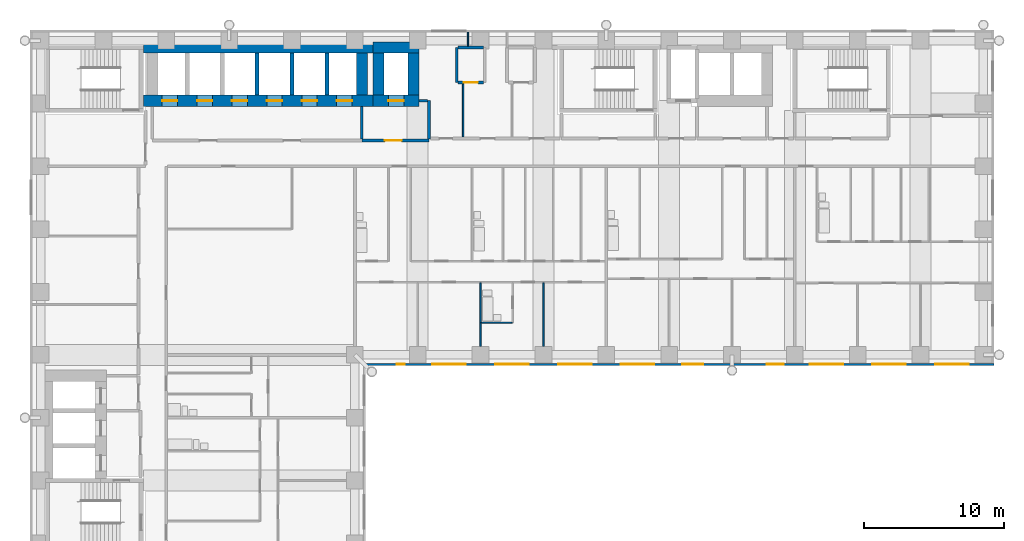
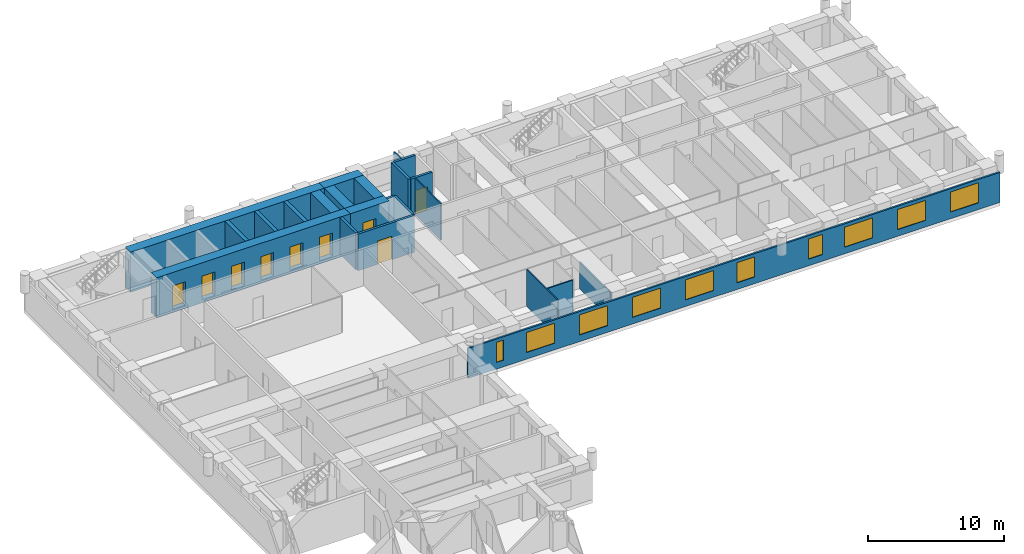
# One storey, part 8 of 14: 23 walls, 10 windows, 9 doors, 19 openings.
"""IFC4 building model written with IfcOpenShell, lengths in metres."""

from ifc_helpers import new_model, si_unit, direction, frame, frame_2d, origin, place, context, subcontext, project, spatial, rectangle, extrude, material, layer, layer_set, type_object, element, fill, save


model = new_model("IFC4")

# Units and contexts
model_context = context("Model", 3, precision=1e-05, world=origin(), true_north=direction((0.0, 1.0)))
body_context = subcontext(model_context, "Body", "Model", "MODEL_VIEW")
ifc_project = project(units=[si_unit("LENGTHUNIT", "METRE"), si_unit("AREAUNIT", "SQUARE_METRE"), si_unit("VOLUMEUNIT", "CUBIC_METRE"), si_unit("PLANEANGLEUNIT", "RADIAN"), si_unit("MASSUNIT", "GRAM", prefix="KILO")], contexts=[model_context])

# Site, building, storey
site_placement = place(None, origin())
site = spatial("IfcSite", under=ifc_project, at=site_placement, CompositionType="ELEMENT")
building_placement = place(site_placement, origin())
building = spatial("IfcBuilding", under=site, at=building_placement, Name="Firuza Court", CompositionType="ELEMENT")
storey_placement = place(building_placement, frame((0.0, 0.0, 47.0)))
storey = spatial("IfcBuildingStorey", under=building, at=storey_placement, Name="L10", CompositionType="ELEMENT", Elevation=47.0)

# Walls
ifc_material_1 = material(Name="Moisture-resistant gypsum board partition")
ifc_layer_1 = layer(ifc_material_1, 0.10009765625)
ifc_layer_set_1 = layer_set([ifc_layer_1], Name="Moisture-resistant gypsum board partition")
wall_type_1 = type_object("IfcWallType", Name="Bathroom partition 100", PredefinedType="PLUMBINGWALL", material=ifc_layer_set_1)
wall_1_placement = place(storey_placement, frame((31.550048828125, 38.300048828125, 0.0), z_axis=(0.0, 0.0, 1.0), x_axis=(1.0, 0.0, 0.0)))
element("IfcWall", 1, at=wall_1_placement, inside=storey, type_object=wall_type_1, Name="Bathroom partition 100 L10", PredefinedType="PLUMBINGWALL", context=body_context, shape_type="SweptSolid", body=[
    extrude(rectangle(XDim=2.199951171875, YDim=0.10009765625, at=frame_2d((1.10009765625, 0.0))), origin(), (0.0, 0.0, 1.0), 3.300048828125),
])
ifc_material_2 = material(Name="Concrete C60/75", Category="concrete")
ifc_layer_2 = layer(ifc_material_2, 0.300048828125)
ifc_layer_set_2 = layer_set([ifc_layer_2], Name="Concrete C60/75")
wall_type_2 = type_object("IfcWallType", Name="Core wall 300 C60/75", PredefinedType="SHEAR", material=ifc_layer_set_2)
for number, where, z_axis, x_axis, name in (
    (2, (15.5, 54.60009765625, -0.300048828125), (0.0, 0.0, 1.0), (0.0, 1.0, 0.0), "Core wall lift shaft L10"),
    (3, (18.0, 54.60009765625, -0.300048828125), (0.0, 0.0, 1.0), (0.0, 1.0, 0.0), "Core wall lift shaft L10"),
    (4, (20.5, 54.60009765625, -0.300048828125), (0.0, 0.0, 1.0), (0.0, 1.0, 0.0), "Core wall lift shaft L10"),
):
    element("IfcWall", number, at=place(storey_placement, frame(where, z_axis=z_axis, x_axis=x_axis)), inside=storey, type_object=wall_type_2, Name=name, PredefinedType="SHEAR", context=body_context, shape_type="SweptSolid", body=[
        extrude(rectangle(XDim=3.0, YDim=0.300048828125, at=frame_2d((1.5, 0.0))), origin(), (0.0, 0.0, 1.0), 3.60009765625),
    ])

# Wall, openings, doors
ifc_layer_3 = layer(ifc_material_2, 0.800048828125)
ifc_layer_set_3 = layer_set([ifc_layer_3], Name="Concrete C60/75")
wall_type_3 = type_object("IfcWallType", Name="Core wall 800 C60/75", PredefinedType="SHEAR", material=ifc_layer_set_3)
wall_2_placement = place(storey_placement, frame((7.35009765625, 54.199951171875, -0.300048828125), z_axis=(0.0, 0.0, 1.0), x_axis=(1.0, 0.0, 0.0)))
wall_2 = element("IfcWall", 5, at=wall_2_placement, inside=storey, type_object=wall_type_3, Name="Core wall lift shaft L10", PredefinedType="SHEAR", context=body_context, shape_type="SweptSolid", body=[
    extrude(rectangle(XDim=16.449951171875, YDim=0.800048828125, at=frame_2d((8.22509765625, 0.0))), origin(), (0.0, 0.0, 1.0), 3.60009765625),
])
opening_1_placement = place(wall_2_placement, frame((1.35009765625, 0.0, 0.300048828125)))
opening_1 = element("IfcOpeningElement", 6, at=opening_1_placement, cuts=wall_2, Name="Opening LD-LB1-10", PredefinedType="OPENING", context=body_context, shape_type="SweptSolid", body=[
    extrude(rectangle(XDim=1.10009765625, YDim=2.10009765625, at=frame_2d((0.550048828125, 1.050048828125))), frame((0.0, 0.412109375, 0.0), z_axis=(0.0, -1.0, 0.0), x_axis=(1.0, 0.0, 0.0)), (0.0, 0.0, 1.0), 0.823974609375),
])
opening_2_placement = place(wall_2_placement, frame((3.85009765625, 0.0, 0.300048828125)))
opening_2 = element("IfcOpeningElement", 7, at=opening_2_placement, cuts=wall_2, Name="Opening LD-LB2-10", PredefinedType="OPENING", context=body_context, shape_type="SweptSolid", body=[
    extrude(rectangle(XDim=1.10009765625, YDim=2.10009765625, at=frame_2d((0.550048828125, 1.050048828125))), frame((0.0, 0.412109375, 0.0), z_axis=(0.0, -1.0, 0.0), x_axis=(1.0, 0.0, 0.0)), (0.0, 0.0, 1.0), 0.823974609375),
])
opening_3_placement = place(wall_2_placement, frame((6.35009765625, 0.0, 0.300048828125)))
opening_3 = element("IfcOpeningElement", 8, at=opening_3_placement, cuts=wall_2, Name="Opening LD-LB3-10", PredefinedType="OPENING", context=body_context, shape_type="SweptSolid", body=[
    extrude(rectangle(XDim=1.10009765625, YDim=2.10009765625, at=frame_2d((0.550048828125, 1.050048828125))), frame((0.0, 0.412109375, 0.0), z_axis=(0.0, -1.0, 0.0), x_axis=(1.0, 0.0, 0.0)), (0.0, 0.0, 1.0), 0.823974609375),
])
opening_4_placement = place(wall_2_placement, frame((8.85009765625, 0.0, 0.300048828125)))
opening_4 = element("IfcOpeningElement", 9, at=opening_4_placement, cuts=wall_2, Name="Opening LD-LB4-10", PredefinedType="OPENING", context=body_context, shape_type="SweptSolid", body=[
    extrude(rectangle(XDim=1.10009765625, YDim=2.10009765625, at=frame_2d((0.550048828125, 1.050048828125))), frame((0.0, 0.412109375, 0.0), z_axis=(0.0, -1.0, 0.0), x_axis=(1.0, 0.0, 0.0)), (0.0, 0.0, 1.0), 0.823974609375),
])
opening_5_placement = place(wall_2_placement, frame((11.35009765625, 0.0, 0.300048828125)))
opening_5 = element("IfcOpeningElement", 10, at=opening_5_placement, cuts=wall_2, Name="Opening LD-LB5-10", PredefinedType="OPENING", context=body_context, shape_type="SweptSolid", body=[
    extrude(rectangle(XDim=1.10009765625, YDim=2.10009765625, at=frame_2d((0.550048828125, 1.050048828125))), frame((0.0, 0.412109375, 0.0), z_axis=(0.0, -1.0, 0.0), x_axis=(1.0, 0.0, 0.0)), (0.0, 0.0, 1.0), 0.823974609375),
])
opening_6_placement = place(wall_2_placement, frame((13.85009765625, 0.0, 0.300048828125)))
opening_6 = element("IfcOpeningElement", 11, at=opening_6_placement, cuts=wall_2, Name="Opening LD-LB6-10", PredefinedType="OPENING", context=body_context, shape_type="SweptSolid", body=[
    extrude(rectangle(XDim=1.10009765625, YDim=2.10009765625, at=frame_2d((0.550048828125, 1.050048828125))), frame((0.0, 0.412109375, 0.0), z_axis=(0.0, -1.0, 0.0), x_axis=(1.0, 0.0, 0.0)), (0.0, 0.0, 1.0), 0.823974609375),
])
ifc_material_3 = material(Name="Stainless steel 1.4301 door leaf", Category="steel")
door_type_1 = type_object("IfcDoorType", Name="Lift landing door 1100", OperationType="SLIDING_TO_LEFT", PredefinedType="DOOR", material=ifc_material_3)
door_1_placement = place(opening_1_placement, origin())
door_1 = element("IfcDoor", 12, at=door_1_placement, inside=storey, type_object=door_type_1, Name="Landing door LB1", OperationType="SLIDING_TO_LEFT", OverallHeight=2.10009765625, OverallWidth=1.10009765625, PredefinedType="DOOR", context=body_context, shape_type="SweptSolid", body=[
    extrude(rectangle(XDim=1.10009765625, YDim=2.10009765625, at=frame_2d((0.550048828125, 1.050048828125))), frame((0.0, 0.02490234375, 0.0), z_axis=(0.0, -1.0, 0.0), x_axis=(1.0, 0.0, 0.0)), (0.0, 0.0, 1.0), 0.050048828125),
])
fill(opening_1, door_1)
door_2_placement = place(opening_2_placement, origin())
door_2 = element("IfcDoor", 13, at=door_2_placement, inside=storey, type_object=door_type_1, Name="Landing door LB2", OperationType="SLIDING_TO_LEFT", OverallHeight=2.10009765625, OverallWidth=1.10009765625, PredefinedType="DOOR", context=body_context, shape_type="SweptSolid", body=[
    extrude(rectangle(XDim=1.10009765625, YDim=2.10009765625, at=frame_2d((0.550048828125, 1.050048828125))), frame((0.0, 0.02490234375, 0.0), z_axis=(0.0, -1.0, 0.0), x_axis=(1.0, 0.0, 0.0)), (0.0, 0.0, 1.0), 0.050048828125),
])
fill(opening_2, door_2)
door_3_placement = place(opening_3_placement, origin())
door_3 = element("IfcDoor", 14, at=door_3_placement, inside=storey, type_object=door_type_1, Name="Landing door LB3", OperationType="SLIDING_TO_LEFT", OverallHeight=2.10009765625, OverallWidth=1.10009765625, PredefinedType="DOOR", context=body_context, shape_type="SweptSolid", body=[
    extrude(rectangle(XDim=1.10009765625, YDim=2.10009765625, at=frame_2d((0.550048828125, 1.050048828125))), frame((0.0, 0.02490234375, 0.0), z_axis=(0.0, -1.0, 0.0), x_axis=(1.0, 0.0, 0.0)), (0.0, 0.0, 1.0), 0.050048828125),
])
fill(opening_3, door_3)
door_4_placement = place(opening_4_placement, origin())
door_4 = element("IfcDoor", 15, at=door_4_placement, inside=storey, type_object=door_type_1, Name="Landing door LB4", OperationType="SLIDING_TO_LEFT", OverallHeight=2.10009765625, OverallWidth=1.10009765625, PredefinedType="DOOR", context=body_context, shape_type="SweptSolid", body=[
    extrude(rectangle(XDim=1.10009765625, YDim=2.10009765625, at=frame_2d((0.550048828125, 1.050048828125))), frame((0.0, 0.02490234375, 0.0), z_axis=(0.0, -1.0, 0.0), x_axis=(1.0, 0.0, 0.0)), (0.0, 0.0, 1.0), 0.050048828125),
])
fill(opening_4, door_4)
door_5_placement = place(opening_5_placement, origin())
door_5 = element("IfcDoor", 16, at=door_5_placement, inside=storey, type_object=door_type_1, Name="Landing door LB5", OperationType="SLIDING_TO_LEFT", OverallHeight=2.10009765625, OverallWidth=1.10009765625, PredefinedType="DOOR", context=body_context, shape_type="SweptSolid", body=[
    extrude(rectangle(XDim=1.10009765625, YDim=2.10009765625, at=frame_2d((0.550048828125, 1.050048828125))), frame((0.0, 0.02490234375, 0.0), z_axis=(0.0, -1.0, 0.0), x_axis=(1.0, 0.0, 0.0)), (0.0, 0.0, 1.0), 0.050048828125),
])
fill(opening_5, door_5)
door_6_placement = place(opening_6_placement, origin())
door_6 = element("IfcDoor", 17, at=door_6_placement, inside=storey, type_object=door_type_1, Name="Landing door LB6", OperationType="SLIDING_TO_LEFT", OverallHeight=2.10009765625, OverallWidth=1.10009765625, PredefinedType="DOOR", context=body_context, shape_type="SweptSolid", body=[
    extrude(rectangle(XDim=1.10009765625, YDim=2.10009765625, at=frame_2d((0.550048828125, 1.050048828125))), frame((0.0, 0.02490234375, 0.0), z_axis=(0.0, -1.0, 0.0), x_axis=(1.0, 0.0, 0.0)), (0.0, 0.0, 1.0), 0.050048828125),
])
fill(opening_6, door_6)

# Walls
wall_3_placement = place(storey_placement, frame((7.35009765625, 58.0, -0.300048828125), z_axis=(0.0, 0.0, 1.0), x_axis=(1.0, 0.0, 0.0)))
element("IfcWall", 18, at=wall_3_placement, inside=storey, type_object=wall_type_3, Name="Core wall lift shaft L10", PredefinedType="SHEAR", context=body_context, shape_type="SweptSolid", body=[
    extrude(rectangle(XDim=16.449951171875, YDim=0.800048828125, at=frame_2d((8.22509765625, 0.0))), origin(), (0.0, 0.0, 1.0), 3.60009765625),
])
wall_4_placement = place(storey_placement, frame((23.0, 54.60009765625, -0.300048828125), z_axis=(0.0, 0.0, 1.0), x_axis=(0.0, 1.0, 0.0)))
element("IfcWall", 19, at=wall_4_placement, inside=storey, type_object=wall_type_3, Name="Core wall lift shaft L10", PredefinedType="SHEAR", context=body_context, shape_type="SweptSolid", body=[
    extrude(rectangle(XDim=3.0, YDim=0.800048828125, at=frame_2d((1.5, 0.0))), origin(), (0.0, 0.0, 1.0), 3.60009765625),
])

# Wall, opening, door
wall_5_placement = place(storey_placement, frame((23.800048828125, 54.199951171875, -0.300048828125), z_axis=(0.0, 0.0, 1.0), x_axis=(1.0, 0.0, 0.0)))
wall_5 = element("IfcWall", 20, at=wall_5_placement, inside=storey, type_object=wall_type_3, Name="Core wall lift shaft L10", PredefinedType="SHEAR", context=body_context, shape_type="SweptSolid", body=[
    extrude(rectangle(XDim=3.300048828125, YDim=0.800048828125, at=frame_2d((1.64990234375, 0.0))), origin(), (0.0, 0.0, 1.0), 3.60009765625),
])
opening_7_placement = place(wall_5_placement, frame((1.10009765625, 0.0, 0.300048828125)))
opening_7 = element("IfcOpeningElement", 21, at=opening_7_placement, cuts=wall_5, Name="Opening LD-FL3-10", PredefinedType="OPENING", context=body_context, shape_type="SweptSolid", body=[
    extrude(rectangle(XDim=1.10009765625, YDim=2.10009765625, at=frame_2d((0.550048828125, 1.050048828125))), frame((0.0, 0.412109375, 0.0), z_axis=(0.0, -1.0, 0.0), x_axis=(1.0, 0.0, 0.0)), (0.0, 0.0, 1.0), 0.823974609375),
])
door_7_placement = place(opening_7_placement, origin())
door_7 = element("IfcDoor", 22, at=door_7_placement, inside=storey, type_object=door_type_1, Name="Landing door FL3", OperationType="SLIDING_TO_LEFT", OverallHeight=2.10009765625, OverallWidth=1.10009765625, PredefinedType="DOOR", context=body_context, shape_type="SweptSolid", body=[
    extrude(rectangle(XDim=1.10009765625, YDim=2.10009765625, at=frame_2d((0.550048828125, 1.050048828125))), frame((0.0, 0.02490234375, 0.0), z_axis=(0.0, -1.0, 0.0), x_axis=(1.0, 0.0, 0.0)), (0.0, 0.0, 1.0), 0.050048828125),
])
fill(opening_7, door_7)

# Walls
wall_6_placement = place(storey_placement, frame((23.800048828125, 58.0, -0.300048828125), z_axis=(0.0, 0.0, 1.0), x_axis=(1.0, 0.0, 0.0)))
element("IfcWall", 23, at=wall_6_placement, inside=storey, type_object=wall_type_3, Name="Core wall lift shaft L10", PredefinedType="SHEAR", context=body_context, shape_type="SweptSolid", body=[
    extrude(rectangle(XDim=3.300048828125, YDim=0.800048828125, at=frame_2d((1.64990234375, 0.0))), origin(), (0.0, 0.0, 1.0), 3.60009765625),
])
for number, where, z_axis, x_axis, name in (
    (24, (24.199951171875, 54.60009765625, -0.300048828125), (0.0, 0.0, 1.0), (0.0, 1.0, 0.0), "Core wall lift shaft L10"),
    (25, (26.699951171875, 54.60009765625, -0.300048828125), (0.0, 0.0, 1.0), (0.0, 1.0, 0.0), "Core wall lift shaft L10"),
):
    element("IfcWall", number, at=place(storey_placement, frame(where, z_axis=z_axis, x_axis=x_axis)), inside=storey, type_object=wall_type_3, Name=name, PredefinedType="SHEAR", context=body_context, shape_type="SweptSolid", body=[
        extrude(rectangle(XDim=3.0, YDim=0.800048828125, at=frame_2d((1.5, 0.0))), origin(), (0.0, 0.0, 1.0), 3.60009765625),
    ])
ifc_material_4 = material(Name="Timber stud partition, plasterboard both sides", Category="wood")
ifc_layer_4 = layer(ifc_material_4, 0.10009765625)
ifc_layer_set_4 = layer_set([ifc_layer_4], Name="Timber stud partition, plasterboard both sides")
wall_type_4 = type_object("IfcWallType", Name="Partition wall 100", PredefinedType="PARTITIONING", material=ifc_layer_set_4)
wall_7_placement = place(storey_placement, frame((31.5, 36.60009765625, 0.0), z_axis=(0.0, 0.0, 1.0), x_axis=(0.0, 1.0, 0.0)))
element("IfcWall", 26, at=wall_7_placement, inside=storey, type_object=wall_type_4, Name="Partition wall 100 L10", PredefinedType="PARTITIONING", context=body_context, shape_type="SweptSolid", body=[
    extrude(rectangle(XDim=4.5498046875, YDim=0.10009765625, at=frame_2d((2.27490234375, 0.0))), origin(), (0.0, 0.0, 1.0), 3.300048828125),
])
wall_8_placement = place(storey_placement, frame((36.0, 36.60009765625, 0.0), z_axis=(0.0, 0.0, 1.0), x_axis=(0.0, 1.0, 0.0)))
element("IfcWall", 27, at=wall_8_placement, inside=storey, type_object=wall_type_4, Name="Partition wall 100 L10", PredefinedType="PARTITIONING", context=body_context, shape_type="SweptSolid", body=[
    extrude(rectangle(XDim=4.5498046875, YDim=0.10009765625, at=frame_2d((2.27490234375, 0.0))), origin(), (0.0, 0.0, 1.0), 2.39990234375),
])
wall_9_placement = place(storey_placement, frame((30.25, 51.60009765625, 0.0), z_axis=(0.0, 0.0, 1.0), x_axis=(0.0, 1.0, 0.0)))
element("IfcWall", 28, at=wall_9_placement, inside=storey, type_object=wall_type_4, Name="Partition wall 100 L10", PredefinedType="PARTITIONING", context=body_context, shape_type="SweptSolid", body=[
    extrude(rectangle(XDim=3.7998046875, YDim=0.10009765625, at=frame_2d((1.89990234375, 0.0))), origin(), (0.0, 0.0, 1.0), 3.300048828125),
])
wall_10_placement = place(storey_placement, frame((30.60009765625, 58.10009765625, 0.0), z_axis=(0.0, 0.0, 1.0), x_axis=(0.0, 1.0, 0.0)))
element("IfcWall", 29, at=wall_10_placement, inside=storey, type_object=wall_type_4, Name="Partition wall 100 L10", PredefinedType="PARTITIONING", context=body_context, shape_type="SweptSolid", body=[
    extrude(rectangle(XDim=1.0, YDim=0.10009765625, at=frame_2d((0.5, 0.0))), origin(), (0.0, 0.0, 1.0), 3.300048828125),
])
ifc_material_5 = material(Name="Blockwork, fire-rated", Category="masonry")
ifc_layer_5 = layer(ifc_material_5, 0.199951171875)
ifc_layer_set_5 = layer_set([ifc_layer_5], Name="Blockwork, fire-rated")
wall_type_5 = type_object("IfcWallType", Name="Plant room wall 200", PredefinedType="PARTITIONING", material=ifc_layer_set_5)
wall_11_placement = place(storey_placement, frame((29.800048828125, 55.5, 0.0), z_axis=(0.0, 0.0, 1.0), x_axis=(0.0, 1.0, 0.0)))
element("IfcWall", 30, at=wall_11_placement, inside=storey, type_object=wall_type_5, Name="Plant room wall 200 L10", PredefinedType="PARTITIONING", context=body_context, shape_type="SweptSolid", body=[
    extrude(rectangle(XDim=2.5, YDim=0.199951171875, at=frame_2d((1.25, 0.0))), origin(), (0.0, 0.0, 1.0), 3.300048828125),
])

# Wall, opening, door
wall_12_placement = place(storey_placement, frame((29.89990234375, 55.5, 0.0), z_axis=(0.0, 0.0, 1.0), x_axis=(1.0, 0.0, 0.0)))
wall_12 = element("IfcWall", 31, at=wall_12_placement, inside=storey, type_object=wall_type_5, Name="Plant room wall 200 L10", PredefinedType="PARTITIONING", context=body_context, shape_type="SweptSolid", body=[
    extrude(rectangle(XDim=1.800048828125, YDim=0.199951171875, at=frame_2d((0.89990234375, 0.0))), origin(), (0.0, 0.0, 1.0), 3.300048828125),
])
opening_8_placement = place(wall_12_placement, frame((0.39990234375, 0.0, 0.0)))
opening_8 = element("IfcOpeningElement", 32, at=opening_8_placement, cuts=wall_12, Name="Opening D10080", PredefinedType="OPENING", context=body_context, shape_type="SweptSolid", body=[
    extrude(rectangle(XDim=1.0, YDim=2.10009765625, at=frame_2d((0.5, 1.050048828125))), frame((0.0, 0.11181640625, 0.0), z_axis=(0.0, -1.0, 0.0), x_axis=(1.0, 0.0, 0.0)), (0.0, 0.0, 1.0), 0.223876953125),
])
ifc_material_6 = material(Name="Timber door leaf in hardwood frame", Category="wood")
door_type_2 = type_object("IfcDoorType", Name="Riser door 1000", OperationType="SINGLE_SWING_LEFT", PredefinedType="DOOR", material=ifc_material_6)
door_8_placement = place(opening_8_placement, origin())
door_8 = element("IfcDoor", 33, at=door_8_placement, inside=storey, type_object=door_type_2, Name="Electrical riser door", OperationType="SINGLE_SWING_LEFT", OverallHeight=2.10009765625, OverallWidth=1.0, PredefinedType="DOOR", context=body_context, shape_type="SweptSolid", body=[
    extrude(rectangle(XDim=1.0, YDim=2.10009765625, at=frame_2d((0.5, 1.050048828125))), frame((0.0, 0.02490234375, 0.0), z_axis=(0.0, -1.0, 0.0), x_axis=(1.0, 0.0, 0.0)), (0.0, 0.0, 1.0), 0.050048828125),
])
fill(opening_8, door_8)

# Wall
wall_13_placement = place(storey_placement, frame((29.89990234375, 58.0, 0.0), z_axis=(0.0, 0.0, 1.0), x_axis=(1.0, 0.0, 0.0)))
element("IfcWall", 34, at=wall_13_placement, inside=storey, type_object=wall_type_5, Name="Plant room wall 200 L10", PredefinedType="PARTITIONING", context=body_context, shape_type="SweptSolid", body=[
    extrude(rectangle(XDim=1.800048828125, YDim=0.199951171875, at=frame_2d((0.89990234375, 0.0))), origin(), (0.0, 0.0, 1.0), 3.300048828125),
])

# Wall, openings, windows
ifc_material_7 = material(Name="Ceramic tile", Category="ceramic")
ifc_layer_6 = layer(ifc_material_7, 0.02001953125)
ifc_material_8 = material(Name="Mineral wool insulation", Category="insulation")
ifc_layer_7 = layer(ifc_material_8, 0.050048828125)
ifc_material_9 = material(Name="Concrete C40/50 precast", Category="concrete")
ifc_layer_8 = layer(ifc_material_9, 0.080078125)
ifc_layer_set_6 = layer_set([ifc_layer_6, ifc_layer_7, ifc_layer_8], Name="Concrete C40/50 precast")
wall_type_6 = type_object("IfcWallType", Name="Precast cladding wall with turquoise TILE PANEL face 150", PredefinedType="STANDARD", material=ifc_layer_set_6)
wall_14_placement = place(storey_placement, frame((23.10009765625, 35.324951171875, 0.0), z_axis=(0.0, 0.0, 1.0), x_axis=(1.0, 0.0, 0.0)))
wall_14 = element("IfcWall", 35, at=wall_14_placement, inside=storey, type_object=wall_type_6, Name="Facade wall L10 S", PredefinedType="STANDARD", context=body_context, shape_type="SweptSolid", body=[
    extrude(rectangle(XDim=45.14990234375, YDim=0.14990234375, at=frame_2d((22.574951171875, 0.0))), origin(), (0.0, 0.0, 1.0), 2.699951171875),
])
opening_9_placement = place(wall_14_placement, frame((2.386474609375, 0.0, 0.60009765625)))
opening_9 = element("IfcOpeningElement", 36, at=opening_9_placement, cuts=wall_14, Name="Opening W4", PredefinedType="OPENING", context=body_context, shape_type="SweptSolid", body=[
    extrude(rectangle(XDim=0.60009765625, YDim=1.800048828125, at=frame_2d((0.300048828125, 0.89990234375))), frame((0.0, 0.0869140625, 0.0), z_axis=(0.0, -1.0, 0.0), x_axis=(1.0, 0.0, 0.0)), (0.0, 0.0, 1.0), 0.173828125),
])
opening_10_placement = place(wall_14_placement, frame((4.949951171875, 0.0, 0.60009765625)))
opening_10 = element("IfcOpeningElement", 37, at=opening_10_placement, cuts=wall_14, Name="Opening W1", PredefinedType="OPENING", context=body_context, shape_type="SweptSolid", body=[
    extrude(rectangle(XDim=2.39990234375, YDim=1.800048828125, at=frame_2d((1.199951171875, 0.89990234375))), frame((0.0, 0.0869140625, 0.0), z_axis=(0.0, -1.0, 0.0), x_axis=(1.0, 0.0, 0.0)), (0.0, 0.0, 1.0), 0.173828125),
])
opening_11_placement = place(wall_14_placement, frame((9.449951171875, 0.0, 0.60009765625)))
opening_11 = element("IfcOpeningElement", 38, at=opening_11_placement, cuts=wall_14, Name="Opening W1", PredefinedType="OPENING", context=body_context, shape_type="SweptSolid", body=[
    extrude(rectangle(XDim=2.39990234375, YDim=1.800048828125, at=frame_2d((1.199951171875, 0.89990234375))), frame((0.0, 0.0869140625, 0.0), z_axis=(0.0, -1.0, 0.0), x_axis=(1.0, 0.0, 0.0)), (0.0, 0.0, 1.0), 0.173828125),
])
opening_12_placement = place(wall_14_placement, frame((13.949951171875, 0.0, 0.60009765625)))
opening_12 = element("IfcOpeningElement", 39, at=opening_12_placement, cuts=wall_14, Name="Opening W1", PredefinedType="OPENING", context=body_context, shape_type="SweptSolid", body=[
    extrude(rectangle(XDim=2.39990234375, YDim=1.800048828125, at=frame_2d((1.199951171875, 0.89990234375))), frame((0.0, 0.0869140625, 0.0), z_axis=(0.0, -1.0, 0.0), x_axis=(1.0, 0.0, 0.0)), (0.0, 0.0, 1.0), 0.173828125),
])
opening_13_placement = place(wall_14_placement, frame((18.449951171875, 0.0, 0.60009765625)))
opening_13 = element("IfcOpeningElement", 40, at=opening_13_placement, cuts=wall_14, Name="Opening W1", PredefinedType="OPENING", context=body_context, shape_type="SweptSolid", body=[
    extrude(rectangle(XDim=2.39990234375, YDim=1.800048828125, at=frame_2d((1.199951171875, 0.89990234375))), frame((0.0, 0.0869140625, 0.0), z_axis=(0.0, -1.0, 0.0), x_axis=(1.0, 0.0, 0.0)), (0.0, 0.0, 1.0), 0.173828125),
])
opening_14_placement = place(wall_14_placement, frame((22.82958984375, 0.0, 0.60009765625)))
opening_14 = element("IfcOpeningElement", 41, at=opening_14_placement, cuts=wall_14, Name="Opening W2", PredefinedType="OPENING", context=body_context, shape_type="SweptSolid", body=[
    extrude(rectangle(XDim=1.5, YDim=1.800048828125, at=frame_2d((0.75, 0.89990234375))), frame((0.0, 0.0869140625, 0.0), z_axis=(0.0, -1.0, 0.0), x_axis=(1.0, 0.0, 0.0)), (0.0, 0.0, 1.0), 0.173828125),
])
opening_15_placement = place(wall_14_placement, frame((28.894287109375, 0.0, 0.60009765625)))
opening_15 = element("IfcOpeningElement", 42, at=opening_15_placement, cuts=wall_14, Name="Opening W8", PredefinedType="OPENING", context=body_context, shape_type="SweptSolid", body=[
    extrude(rectangle(XDim=1.199951171875, YDim=1.800048828125, at=frame_2d((0.60009765625, 0.89990234375))), frame((0.0, 0.0869140625, 0.0), z_axis=(0.0, -1.0, 0.0), x_axis=(1.0, 0.0, 0.0)), (0.0, 0.0, 1.0), 0.173828125),
])
opening_16_placement = place(wall_14_placement, frame((31.949951171875, 0.0, 0.60009765625)))
opening_16 = element("IfcOpeningElement", 43, at=opening_16_placement, cuts=wall_14, Name="Opening W1", PredefinedType="OPENING", context=body_context, shape_type="SweptSolid", body=[
    extrude(rectangle(XDim=2.39990234375, YDim=1.800048828125, at=frame_2d((1.199951171875, 0.89990234375))), frame((0.0, 0.0869140625, 0.0), z_axis=(0.0, -1.0, 0.0), x_axis=(1.0, 0.0, 0.0)), (0.0, 0.0, 1.0), 0.173828125),
])
opening_17_placement = place(wall_14_placement, frame((36.449951171875, 0.0, 0.60009765625)))
opening_17 = element("IfcOpeningElement", 44, at=opening_17_placement, cuts=wall_14, Name="Opening W1", PredefinedType="OPENING", context=body_context, shape_type="SweptSolid", body=[
    extrude(rectangle(XDim=2.39990234375, YDim=1.800048828125, at=frame_2d((1.199951171875, 0.89990234375))), frame((0.0, 0.0869140625, 0.0), z_axis=(0.0, -1.0, 0.0), x_axis=(1.0, 0.0, 0.0)), (0.0, 0.0, 1.0), 0.173828125),
])
opening_18_placement = place(wall_14_placement, frame((40.949951171875, 0.0, 0.60009765625)))
opening_18 = element("IfcOpeningElement", 45, at=opening_18_placement, cuts=wall_14, Name="Opening W1", PredefinedType="OPENING", context=body_context, shape_type="SweptSolid", body=[
    extrude(rectangle(XDim=2.39990234375, YDim=1.800048828125, at=frame_2d((1.199951171875, 0.89990234375))), frame((0.0, 0.0869140625, 0.0), z_axis=(0.0, -1.0, 0.0), x_axis=(1.0, 0.0, 0.0)), (0.0, 0.0, 1.0), 0.173828125),
])
ifc_material_10 = material(Name="Aluminium frame, triple clear glazing", Category="aluminium")
window_type_1 = type_object("IfcWindowType", Name="Window W1 2400 x 1800", PartitioningType="SINGLE_PANEL", PredefinedType="WINDOW", material=ifc_material_10)
window_1_placement = place(opening_10_placement, origin())
window_1 = element("IfcWindow", 46, at=window_1_placement, inside=storey, type_object=window_type_1, Name="Window L10", OverallHeight=1.800048828125, OverallWidth=2.39990234375, PartitioningType="SINGLE_PANEL", PredefinedType="WINDOW", context=body_context, shape_type="SweptSolid", body=[
    extrude(rectangle(XDim=2.39990234375, YDim=1.800048828125, at=frame_2d((1.199951171875, 0.89990234375))), frame((0.0, 0.030029296875, 0.0), z_axis=(0.0, -1.0, 0.0), x_axis=(1.0, 0.0, 0.0)), (0.0, 0.0, 1.0), 0.06005859375),
])
fill(opening_10, window_1)
window_2_placement = place(opening_11_placement, origin())
window_2 = element("IfcWindow", 47, at=window_2_placement, inside=storey, type_object=window_type_1, Name="Window L10", OverallHeight=1.800048828125, OverallWidth=2.39990234375, PartitioningType="SINGLE_PANEL", PredefinedType="WINDOW", context=body_context, shape_type="SweptSolid", body=[
    extrude(rectangle(XDim=2.39990234375, YDim=1.800048828125, at=frame_2d((1.199951171875, 0.89990234375))), frame((0.0, 0.030029296875, 0.0), z_axis=(0.0, -1.0, 0.0), x_axis=(1.0, 0.0, 0.0)), (0.0, 0.0, 1.0), 0.06005859375),
])
fill(opening_11, window_2)
window_3_placement = place(opening_12_placement, origin())
window_3 = element("IfcWindow", 48, at=window_3_placement, inside=storey, type_object=window_type_1, Name="Window L10", OverallHeight=1.800048828125, OverallWidth=2.39990234375, PartitioningType="SINGLE_PANEL", PredefinedType="WINDOW", context=body_context, shape_type="SweptSolid", body=[
    extrude(rectangle(XDim=2.39990234375, YDim=1.800048828125, at=frame_2d((1.199951171875, 0.89990234375))), frame((0.0, 0.030029296875, 0.0), z_axis=(0.0, -1.0, 0.0), x_axis=(1.0, 0.0, 0.0)), (0.0, 0.0, 1.0), 0.06005859375),
])
fill(opening_12, window_3)
window_4_placement = place(opening_13_placement, origin())
window_4 = element("IfcWindow", 49, at=window_4_placement, inside=storey, type_object=window_type_1, Name="Window L10", OverallHeight=1.800048828125, OverallWidth=2.39990234375, PartitioningType="SINGLE_PANEL", PredefinedType="WINDOW", context=body_context, shape_type="SweptSolid", body=[
    extrude(rectangle(XDim=2.39990234375, YDim=1.800048828125, at=frame_2d((1.199951171875, 0.89990234375))), frame((0.0, 0.030029296875, 0.0), z_axis=(0.0, -1.0, 0.0), x_axis=(1.0, 0.0, 0.0)), (0.0, 0.0, 1.0), 0.06005859375),
])
fill(opening_13, window_4)
window_5_placement = place(opening_16_placement, origin())
window_5 = element("IfcWindow", 50, at=window_5_placement, inside=storey, type_object=window_type_1, Name="Window L10", OverallHeight=1.800048828125, OverallWidth=2.39990234375, PartitioningType="SINGLE_PANEL", PredefinedType="WINDOW", context=body_context, shape_type="SweptSolid", body=[
    extrude(rectangle(XDim=2.39990234375, YDim=1.800048828125, at=frame_2d((1.199951171875, 0.89990234375))), frame((0.0, 0.030029296875, 0.0), z_axis=(0.0, -1.0, 0.0), x_axis=(1.0, 0.0, 0.0)), (0.0, 0.0, 1.0), 0.06005859375),
])
fill(opening_16, window_5)
window_6_placement = place(opening_17_placement, origin())
window_6 = element("IfcWindow", 51, at=window_6_placement, inside=storey, type_object=window_type_1, Name="Window L10", OverallHeight=1.800048828125, OverallWidth=2.39990234375, PartitioningType="SINGLE_PANEL", PredefinedType="WINDOW", context=body_context, shape_type="SweptSolid", body=[
    extrude(rectangle(XDim=2.39990234375, YDim=1.800048828125, at=frame_2d((1.199951171875, 0.89990234375))), frame((0.0, 0.030029296875, 0.0), z_axis=(0.0, -1.0, 0.0), x_axis=(1.0, 0.0, 0.0)), (0.0, 0.0, 1.0), 0.06005859375),
])
fill(opening_17, window_6)
window_7_placement = place(opening_18_placement, origin())
window_7 = element("IfcWindow", 52, at=window_7_placement, inside=storey, type_object=window_type_1, Name="Window L10", OverallHeight=1.800048828125, OverallWidth=2.39990234375, PartitioningType="SINGLE_PANEL", PredefinedType="WINDOW", context=body_context, shape_type="SweptSolid", body=[
    extrude(rectangle(XDim=2.39990234375, YDim=1.800048828125, at=frame_2d((1.199951171875, 0.89990234375))), frame((0.0, 0.030029296875, 0.0), z_axis=(0.0, -1.0, 0.0), x_axis=(1.0, 0.0, 0.0)), (0.0, 0.0, 1.0), 0.06005859375),
])
fill(opening_18, window_7)
ifc_material_11 = material(Name="Aluminium frame, triple clear glazing", Category="aluminium")
window_type_2 = type_object("IfcWindowType", Name="Window W2 1500 x 1800", PartitioningType="SINGLE_PANEL", PredefinedType="WINDOW", material=ifc_material_11)
window_8_placement = place(opening_14_placement, origin())
window_8 = element("IfcWindow", 53, at=window_8_placement, inside=storey, type_object=window_type_2, Name="Window L10", OverallHeight=1.800048828125, OverallWidth=1.5, PartitioningType="SINGLE_PANEL", PredefinedType="WINDOW", context=body_context, shape_type="SweptSolid", body=[
    extrude(rectangle(XDim=1.5, YDim=1.800048828125, at=frame_2d((0.75, 0.89990234375))), frame((0.0, 0.030029296875, 0.0), z_axis=(0.0, -1.0, 0.0), x_axis=(1.0, 0.0, 0.0)), (0.0, 0.0, 1.0), 0.06005859375),
])
fill(opening_14, window_8)
ifc_material_12 = material(Name="Aluminium frame, triple clear glazing", Category="aluminium")
window_type_3 = type_object("IfcWindowType", Name="Window W4 600 x 1800", PartitioningType="SINGLE_PANEL", PredefinedType="WINDOW", material=ifc_material_12)
window_9_placement = place(opening_9_placement, origin())
window_9 = element("IfcWindow", 54, at=window_9_placement, inside=storey, type_object=window_type_3, Name="Window L10", OverallHeight=1.800048828125, OverallWidth=0.60009765625, PartitioningType="SINGLE_PANEL", PredefinedType="WINDOW", context=body_context, shape_type="SweptSolid", body=[
    extrude(rectangle(XDim=0.60009765625, YDim=1.800048828125, at=frame_2d((0.300048828125, 0.89990234375))), frame((0.0, 0.030029296875, 0.0), z_axis=(0.0, -1.0, 0.0), x_axis=(1.0, 0.0, 0.0)), (0.0, 0.0, 1.0), 0.06005859375),
])
fill(opening_9, window_9)
ifc_material_13 = material(Name="Aluminium frame, triple clear glazing", Category="aluminium")
window_type_4 = type_object("IfcWindowType", Name="Window W8 1200 x 1800", PartitioningType="SINGLE_PANEL", PredefinedType="WINDOW", material=ifc_material_13)
window_10_placement = place(opening_15_placement, origin())
window_10 = element("IfcWindow", 55, at=window_10_placement, inside=storey, type_object=window_type_4, Name="Window L10", OverallHeight=1.800048828125, OverallWidth=1.199951171875, PartitioningType="SINGLE_PANEL", PredefinedType="WINDOW", context=body_context, shape_type="SweptSolid", body=[
    extrude(rectangle(XDim=1.199951171875, YDim=1.800048828125, at=frame_2d((0.60009765625, 0.89990234375))), frame((0.0, 0.030029296875, 0.0), z_axis=(0.0, -1.0, 0.0), x_axis=(1.0, 0.0, 0.0)), (0.0, 0.0, 1.0), 0.06005859375),
])
fill(opening_15, window_10)

# Wall
ifc_layer_9 = layer(ifc_material_5, 0.199951171875)
ifc_layer_set_7 = layer_set([ifc_layer_9], Name="Blockwork, fire-rated")
wall_type_7 = type_object("IfcWallType", Name="Shaft wall 200", PredefinedType="PARTITIONING", material=ifc_layer_set_7)
wall_15_placement = place(storey_placement, frame((23.0, 51.449951171875, 0.0), z_axis=(0.0, 0.0, 1.0), x_axis=(0.0, 1.0, 0.0)))
element("IfcWall", 56, at=wall_15_placement, inside=storey, type_object=wall_type_7, Name="Shaft wall 200 L10", PredefinedType="PARTITIONING", context=body_context, shape_type="SweptSolid", body=[
    extrude(rectangle(XDim=2.330078125, YDim=0.199951171875, at=frame_2d((1.1650390625, 0.0))), origin(), (0.0, 0.0, 1.0), 3.300048828125),
])

# Wall, opening, door
wall_16_placement = place(storey_placement, frame((23.0, 51.35009765625, 0.0), z_axis=(0.0, 0.0, 1.0), x_axis=(1.0, 0.0, 0.0)))
wall_16 = element("IfcWall", 57, at=wall_16_placement, inside=storey, type_object=wall_type_7, Name="Shaft wall 200 L10", PredefinedType="PARTITIONING", context=body_context, shape_type="SweptSolid", body=[
    extrude(rectangle(XDim=4.800048828125, YDim=0.199951171875, at=frame_2d((2.39990234375, 0.0))), origin(), (0.0, 0.0, 1.0), 3.300048828125),
])
opening_19_placement = place(wall_16_placement, frame((1.64990234375, 0.0, 0.0)))
opening_19 = element("IfcOpeningElement", 58, at=opening_19_placement, cuts=wall_16, Name="Opening D10003", PredefinedType="OPENING", context=body_context, shape_type="SweptSolid", body=[
    extrude(rectangle(XDim=1.199951171875, YDim=2.10009765625, at=frame_2d((0.60009765625, 1.050048828125))), frame((0.0, 0.11181640625, 0.0), z_axis=(0.0, -1.0, 0.0), x_axis=(1.0, 0.0, 0.0)), (0.0, 0.0, 1.0), 0.223876953125),
])
ifc_material_14 = material(Name="Timber door leaf in hardwood frame", Category="wood")
door_type_3 = type_object("IfcDoorType", Name="Lobby door 1200", OperationType="SINGLE_SWING_LEFT", PredefinedType="DOOR", material=ifc_material_14)
door_9_placement = place(opening_19_placement, origin())
door_9 = element("IfcDoor", 59, at=door_9_placement, inside=storey, type_object=door_type_3, Name="Fire-fighting lobby door", OperationType="SINGLE_SWING_LEFT", OverallHeight=2.10009765625, OverallWidth=1.199951171875, PredefinedType="DOOR", context=body_context, shape_type="SweptSolid", body=[
    extrude(rectangle(XDim=1.199951171875, YDim=2.10009765625, at=frame_2d((0.60009765625, 1.050048828125))), frame((0.0, 0.02490234375, 0.0), z_axis=(0.0, -1.0, 0.0), x_axis=(1.0, 0.0, 0.0)), (0.0, 0.0, 1.0), 0.050048828125),
])
fill(opening_19, door_9)

# Walls
wall_17_placement = place(storey_placement, frame((27.800048828125, 51.449951171875, 0.0), z_axis=(0.0, 0.0, 1.0), x_axis=(0.0, 1.0, 0.0)))
element("IfcWall", 60, at=wall_17_placement, inside=storey, type_object=wall_type_7, Name="Shaft wall 200 L10", PredefinedType="PARTITIONING", context=body_context, shape_type="SweptSolid", body=[
    extrude(rectangle(XDim=2.75, YDim=0.199951171875, at=frame_2d((1.375, 0.0))), origin(), (0.0, 0.0, 1.0), 3.300048828125),
])
wall_18_placement = place(storey_placement, frame((27.10009765625, 54.199951171875, 0.0), z_axis=(0.0, 0.0, 1.0), x_axis=(1.0, 0.0, 0.0)))
element("IfcWall", 61, at=wall_18_placement, inside=storey, type_object=wall_type_7, Name="Shaft wall 200 L10", PredefinedType="PARTITIONING", context=body_context, shape_type="SweptSolid", body=[
    extrude(rectangle(XDim=0.599853515625, YDim=0.199951171875, at=frame_2d((0.2998046875, 0.0))), origin(), (0.0, 0.0, 1.0), 3.300048828125),
])

save(model, "model.ifc")
